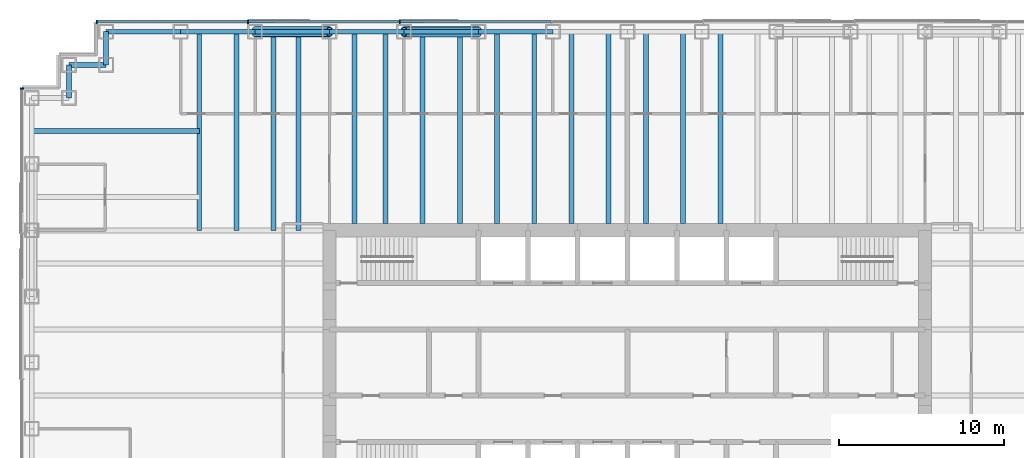
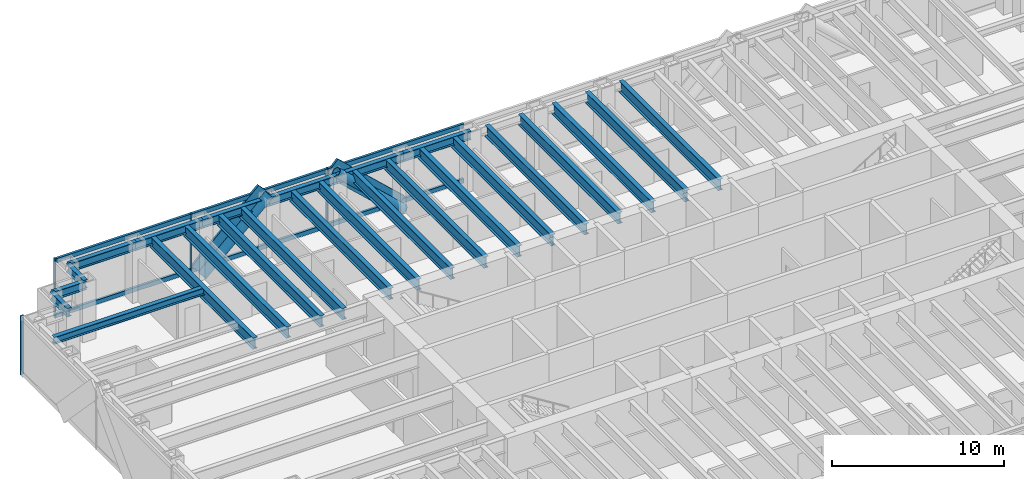
# One storey, part 5 of 17: 25 beams, 14 members, 2 elements without a shape of their own.
"""IFC4 building model written with IfcOpenShell, lengths in metres."""

from ifc_helpers import new_model, si_unit, direction, frame, origin, origin_2d, place, context, subcontext, project, spatial, rectangle, hollow_circle, i_section, extrude, material, material_profile, profile_set, type_object, element, aggregate, save


model = new_model("IFC4")

# Units and contexts
model_context = context("Model", 3, precision=1e-05, world=origin(), true_north=direction((0.0, 1.0)))
body_context = subcontext(model_context, "Body", "Model", "MODEL_VIEW")
ifc_project = project(units=[si_unit("LENGTHUNIT", "METRE"), si_unit("AREAUNIT", "SQUARE_METRE"), si_unit("VOLUMEUNIT", "CUBIC_METRE"), si_unit("PLANEANGLEUNIT", "RADIAN"), si_unit("MASSUNIT", "GRAM", prefix="KILO")], contexts=[model_context])

# Site, building, storey
site_placement = place(None, origin())
site = spatial("IfcSite", under=ifc_project, at=site_placement, CompositionType="ELEMENT")
building_placement = place(site_placement, origin())
building = spatial("IfcBuilding", under=site, at=building_placement, Name="Rheinbord Bourse Tower", CompositionType="ELEMENT")
storey_placement = place(building_placement, frame((0.0, 0.0, 223.60009765625)))
storey = spatial("IfcBuildingStorey", under=building, at=storey_placement, Name="L50", CompositionType="ELEMENT", Elevation=223.60009765625)

# Curtain wall, members
ifc_material_1 = material(Name="Dark glass and black aluminium", Category="aluminium")
curtain_wall_type = type_object("IfcCurtainWallType", Name="CW2 DARK GLASS CURTAIN WALL", PredefinedType="USERDEFINED", material=ifc_material_1)
curtain_wall_1_placement = place(storey_placement, origin())
curtain_wall_1 = element("IfcCurtainWall", 1, at=curtain_wall_1_placement, inside=storey, type_object=curtain_wall_type, Name="Curtain wall CW2 N L50", ObjectType="UNITISED CURTAIN WALL", PredefinedType="USERDEFINED")
ifc_material_2 = material(Name="Black anodised aluminium", Category="aluminium")
ifc_material_profile_1 = material_profile(ifc_material_2, rectangle(XDim=0.159912109375, YDim=1.2099609375, at=origin_2d()), Name="CW2 DIAGONAL MULLION 1210x160")
ifc_profile_set_1 = profile_set([ifc_material_profile_1], Name="Black anodised aluminium")
member_type_1 = type_object("IfcMemberType", Name="CW2 BLACK DIAGONAL MULLION", PredefinedType="USERDEFINED", material=ifc_profile_set_1)
member_1_placement = place(storey_placement, frame((27.0, 44.60009765625, 0.0), z_axis=(-0.73105922506, 0.0, 0.682314010889), x_axis=(0.0, -1.0, 0.0)))
member_1 = element("IfcMember", 2, at=member_1_placement, type_object=member_type_1, Name="CW2 diagonal mullion a", ObjectType="DIAGONAL MULLION", PredefinedType="USERDEFINED", context=body_context, shape_type="SweptSolid", body=[
    extrude(rectangle(XDim=0.159912109375, YDim=1.2099609375, at=origin_2d()), origin(), (0.0, 0.0, 1.0), 6.155517578125),
])
member_2_placement = place(storey_placement, frame((13.5, 44.60009765625, 0.0), z_axis=(0.73105922506, 0.0, 0.682314010889), x_axis=(0.0, 1.0, 0.0)))
member_2 = element("IfcMember", 3, at=member_2_placement, type_object=member_type_1, Name="CW2 diagonal mullion c", ObjectType="DIAGONAL MULLION", PredefinedType="USERDEFINED", context=body_context, shape_type="SweptSolid", body=[
    extrude(rectangle(XDim=0.159912109375, YDim=1.2099609375, at=origin_2d()), origin(), (0.0, 0.0, 1.0), 6.155517578125),
])
ifc_material_3 = material(Name="Black anodised aluminium", Category="aluminium")
ifc_material_profile_2 = material_profile(ifc_material_3, rectangle(XDim=0.219970703125, YDim=0.070068359375, at=origin_2d()), Name="CW2 MULLION 70x220")
ifc_profile_set_2 = profile_set([ifc_material_profile_2], Name="Black anodised aluminium")
member_type_2 = type_object("IfcMemberType", Name="CW2 BLACK MULLION", PredefinedType="MULLION", material=ifc_profile_set_2)
member_3_placement = place(storey_placement, frame((22.242919921875, 44.60009765625, 0.0), z_axis=(0.0, 0.0, 1.0), x_axis=(0.0, -1.0, 0.0)))
member_3 = element("IfcMember", 4, at=member_3_placement, type_object=member_type_2, Name="CW2 mullion 6", PredefinedType="MULLION", context=body_context, shape_type="SweptSolid", body=[
    extrude(rectangle(XDim=0.219970703125, YDim=0.070068359375, at=origin_2d()), origin(), (0.0, 0.0, 1.0), 4.199951171875),
])
member_4_placement = place(storey_placement, frame((13.071533203125, 44.60009765625, 0.0), z_axis=(0.0, 0.0, 1.0), x_axis=(0.0, -1.0, 0.0)))
member_4 = element("IfcMember", 5, at=member_4_placement, type_object=member_type_2, Name="CW2 mullion 7", PredefinedType="MULLION", context=body_context, shape_type="SweptSolid", body=[
    extrude(rectangle(XDim=0.219970703125, YDim=0.070068359375, at=origin_2d()), origin(), (0.0, 0.0, 1.0), 4.199951171875),
])
member_5_placement = place(storey_placement, frame((3.93505859375, 44.60009765625, 0.0), z_axis=(0.0, 0.0, 1.0), x_axis=(0.0, -1.0, 0.0)))
member_5 = element("IfcMember", 6, at=member_5_placement, type_object=member_type_2, Name="CW2 mullion 8", PredefinedType="MULLION", context=body_context, shape_type="SweptSolid", body=[
    extrude(rectangle(XDim=0.219970703125, YDim=0.070068359375, at=origin_2d()), origin(), (0.0, 0.0, 1.0), 4.199951171875),
])

# Curtain wall, member
curtain_wall_2_placement = place(storey_placement, origin())
curtain_wall_2 = element("IfcCurtainWall", 7, at=curtain_wall_2_placement, inside=storey, type_object=curtain_wall_type, Name="Curtain wall CW2 W L50", ObjectType="UNITISED CURTAIN WALL", PredefinedType="USERDEFINED")
member_6_placement = place(storey_placement, frame((-0.60009765625, 40.56494140625, 0.0), z_axis=(0.0, 0.0, 1.0), x_axis=(1.0, 0.0, 0.0)))
member_6 = element("IfcMember", 8, at=member_6_placement, type_object=member_type_2, Name="CW2 mullion 1", PredefinedType="MULLION", context=body_context, shape_type="SweptSolid", body=[
    extrude(rectangle(XDim=0.219970703125, YDim=0.070068359375, at=origin_2d()), origin(), (0.0, 0.0, 1.0), 4.199951171875),
])
aggregate(curtain_wall_2, [member_6])

# Member
ifc_material_4 = material(Name="Black anodised aluminium", Category="aluminium")
ifc_material_profile_3 = material_profile(ifc_material_4, rectangle(XDim=0.159912109375, YDim=0.300048828125, at=origin_2d()), Name="CW2 TRANSOM 300x160")
ifc_profile_set_3 = profile_set([ifc_material_profile_3], Name="Black anodised aluminium")
member_type_3 = type_object("IfcMemberType", Name="CW2 BLACK TRANSOM", PredefinedType="USERDEFINED", material=ifc_profile_set_3)
member_7_placement = place(storey_placement, frame((31.37939453125, 44.60009765625, 0.14990234375), z_axis=(-1.0, 0.0, 0.0), x_axis=(0.0, -1.0, 0.0)))
member_7 = element("IfcMember", 9, at=member_7_placement, type_object=member_type_3, Name="CW2 transom 5.1", ObjectType="TRANSOM", PredefinedType="USERDEFINED", context=body_context, shape_type="SweptSolid", body=[
    extrude(rectangle(XDim=0.159912109375, YDim=0.300048828125, at=origin_2d()), origin(), (0.0, 0.0, 1.0), 9.1015625),
])

member_8_placement = place(storey_placement, frame((31.37939453125, 44.60009765625, 4.0498046875), z_axis=(-1.0, 0.0, 0.0), x_axis=(0.0, -1.0, 0.0)))
member_8 = element("IfcMember", 10, at=member_8_placement, type_object=member_type_3, Name="CW2 transom 5.2", ObjectType="TRANSOM", PredefinedType="USERDEFINED", context=body_context, shape_type="SweptSolid", body=[
    extrude(rectangle(XDim=0.159912109375, YDim=0.300048828125, at=origin_2d()), origin(), (0.0, 0.0, 1.0), 9.1015625),
])

member_9_placement = place(storey_placement, frame((22.207763671875, 44.60009765625, 0.14990234375), z_axis=(-1.0, 0.0, 0.0), x_axis=(0.0, -1.0, 0.0)))
member_9 = element("IfcMember", 11, at=member_9_placement, type_object=member_type_3, Name="CW2 transom 6.1", ObjectType="TRANSOM", PredefinedType="USERDEFINED", context=body_context, shape_type="SweptSolid", body=[
    extrude(rectangle(XDim=0.159912109375, YDim=0.300048828125, at=origin_2d()), origin(), (0.0, 0.0, 1.0), 9.101318359375),
])

member_10_placement = place(storey_placement, frame((22.207763671875, 44.60009765625, 4.0498046875), z_axis=(-1.0, 0.0, 0.0), x_axis=(0.0, -1.0, 0.0)))
member_10 = element("IfcMember", 12, at=member_10_placement, type_object=member_type_3, Name="CW2 transom 6.2", ObjectType="TRANSOM", PredefinedType="USERDEFINED", context=body_context, shape_type="SweptSolid", body=[
    extrude(rectangle(XDim=0.159912109375, YDim=0.300048828125, at=origin_2d()), origin(), (0.0, 0.0, 1.0), 9.101318359375),
])

member_11_placement = place(storey_placement, frame((13.036376953125, 44.60009765625, 0.14990234375), z_axis=(-1.0, 0.0, 0.0), x_axis=(0.0, -1.0, 0.0)))
member_11 = element("IfcMember", 13, at=member_11_placement, type_object=member_type_3, Name="CW2 transom 7.1", ObjectType="TRANSOM", PredefinedType="USERDEFINED", context=body_context, shape_type="SweptSolid", body=[
    extrude(rectangle(XDim=0.159912109375, YDim=0.300048828125, at=origin_2d()), origin(), (0.0, 0.0, 1.0), 9.06640625),
])

member_12_placement = place(storey_placement, frame((13.036376953125, 44.60009765625, 4.0498046875), z_axis=(-1.0, 0.0, 0.0), x_axis=(0.0, -1.0, 0.0)))
member_12 = element("IfcMember", 14, at=member_12_placement, type_object=member_type_3, Name="CW2 transom 7.2", ObjectType="TRANSOM", PredefinedType="USERDEFINED", context=body_context, shape_type="SweptSolid", body=[
    extrude(rectangle(XDim=0.159912109375, YDim=0.300048828125, at=origin_2d()), origin(), (0.0, 0.0, 1.0), 9.06640625),
])

aggregate(curtain_wall_1, [member_3, member_4, member_5, member_7, member_8, member_9, member_10, member_11, member_12, member_1, member_2])

# Beams
ifc_material_5 = material(Name="Steel S460", Category="steel")
ifc_material_profile_4 = material_profile(ifc_material_5, i_section(OverallWidth=0.300048828125, OverallDepth=0.800048828125, WebThickness=0.017578125, FlangeThickness=0.032958984375, at=origin_2d()), Name="HEB 800")
ifc_profile_set_4 = profile_set([ifc_material_profile_4], Name="Steel S460")
beam_type_1 = type_object("IfcBeamType", Name="FLOOR BEAM HEB 800", PredefinedType="BEAM", material=ifc_profile_set_4)
for number, where, z_axis, x_axis, name in (
    (15, (10.125, 44.0, 3.639892578125), (0.0, -1.0, 0.0), (1.0, 0.0, 0.0), "Floor beam N-9a L51"),
    (16, (12.375, 44.0, 3.639892578125), (0.0, -1.0, 0.0), (1.0, 0.0, 0.0), "Floor beam N-9b L51"),
    (17, (14.625, 44.0, 3.639892578125), (0.0, -1.0, 0.0), (1.0, 0.0, 0.0), "Floor beam N-13.5a L51"),
    (18, (16.125, 44.0, 3.639892578125), (0.0, -1.0, 0.0), (1.0, 0.0, 0.0), "Floor beam N-13.5b L51"),
):
    element("IfcBeam", number, at=place(storey_placement, frame(where, z_axis=z_axis, x_axis=x_axis)), inside=storey, type_object=beam_type_1, Name=name, PredefinedType="BEAM", context=body_context, shape_type="SweptSolid", body=[
        extrude(i_section(OverallWidth=0.300048828125, OverallDepth=0.800048828125, WebThickness=0.017578125, FlangeThickness=0.032958984375, at=origin_2d()), origin(), (0.0, 0.0, 1.0), 12.0),
    ])
for number, where, z_axis, x_axis, name in (
    (19, (19.5, 44.0, 3.639892578125), (0.0, -1.0, 0.0), (1.0, 0.0, 0.0), "Floor beam N-18a L51"),
    (20, (21.375, 44.0, 3.639892578125), (0.0, -1.0, 0.0), (1.0, 0.0, 0.0), "Floor beam N-18b L51"),
    (21, (23.625, 44.0, 3.639892578125), (0.0, -1.0, 0.0), (1.0, 0.0, 0.0), "Floor beam N-22.5a L51"),
    (22, (25.875, 44.0, 3.639892578125), (0.0, -1.0, 0.0), (1.0, 0.0, 0.0), "Floor beam N-22.5b L51"),
    (23, (28.125, 44.0, 3.639892578125), (0.0, -1.0, 0.0), (1.0, 0.0, 0.0), "Floor beam N-27a L51"),
    (24, (30.375, 44.0, 3.639892578125), (0.0, -1.0, 0.0), (1.0, 0.0, 0.0), "Floor beam N-27b L51"),
    (25, (32.625, 44.0, 3.639892578125), (0.0, -1.0, 0.0), (1.0, 0.0, 0.0), "Floor beam N-31.5a L51"),
    (26, (34.875, 44.0, 3.639892578125), (0.0, -1.0, 0.0), (1.0, 0.0, 0.0), "Floor beam N-31.5b L51"),
    (27, (37.125, 44.0, 3.639892578125), (0.0, -1.0, 0.0), (1.0, 0.0, 0.0), "Floor beam N-36a L51"),
    (28, (39.375, 44.0, 3.639892578125), (0.0, -1.0, 0.0), (1.0, 0.0, 0.0), "Floor beam N-36b L51"),
    (29, (41.625, 44.0, 3.639892578125), (0.0, -1.0, 0.0), (1.0, 0.0, 0.0), "Floor beam N-40.5a L51"),
):
    element("IfcBeam", number, at=place(storey_placement, frame(where, z_axis=z_axis, x_axis=x_axis)), inside=storey, type_object=beam_type_1, Name=name, PredefinedType="BEAM", context=body_context, shape_type="SweptSolid", body=[
        extrude(i_section(OverallWidth=0.300048828125, OverallDepth=0.800048828125, WebThickness=0.017578125, FlangeThickness=0.032958984375, at=origin_2d()), origin(), (0.0, 0.0, 1.0), 11.60009765625),
    ])

# Members
ifc_material_6 = material(Name="Steel S460", Category="steel")
ifc_material_profile_5 = material_profile(ifc_material_6, hollow_circle(Radius=0.304931640625, WallThickness=0.0400390625, at=origin_2d()), Name="CHS 610x40")
ifc_profile_set_5 = profile_set([ifc_material_profile_5], Name="Steel S460")
member_type_4 = type_object("IfcMemberType", Name="MEGABRACE CHS 610x40", PredefinedType="BRACE", material=ifc_profile_set_5)
for number, where, z_axis, x_axis, name in (
    (30, (27.0, 44.0, 0.0), (-0.73105922506, 0.0, 0.682314010889), (0.0, -1.0, 0.0), "Megabrace N face line a L50"),
    (31, (13.5, 44.0, 0.0), (0.73105922506, 0.0, 0.682314010889), (0.0, 1.0, 0.0), "Megabrace N face line c L50"),
):
    element("IfcMember", number, at=place(storey_placement, frame(where, z_axis=z_axis, x_axis=x_axis)), inside=storey, type_object=member_type_4, Name=name, PredefinedType="BRACE", context=body_context, shape_type="SweptSolid", body=[
        extrude(hollow_circle(Radius=0.304931640625, WallThickness=0.0400390625, at=origin_2d()), origin(), (0.0, 0.0, 1.0), 6.155517578125),
    ])

# Beams
ifc_material_7 = material(Name="Steel S460", Category="steel")
ifc_material_profile_6 = material_profile(ifc_material_7, i_section(OverallWidth=0.300048828125, OverallDepth=0.60009765625, WebThickness=0.015380859375, FlangeThickness=0.030029296875, at=origin_2d()), Name="HEB 600")
ifc_profile_set_6 = profile_set([ifc_material_profile_6], Name="Steel S460")
beam_type_2 = type_object("IfcBeamType", Name="SPANDREL HEB 600", PredefinedType="SPANDREL", material=ifc_profile_set_6)
for number, where, z_axis, x_axis, name in (
    (32, (31.5, 44.0, 3.739990234375), (-1.0, 0.0, 0.0), (0.0, -1.0, 0.0), "Spandrel N-31.5-N-27 under L51"),
    (33, (27.0, 44.0, 3.739990234375), (-1.0, 0.0, 0.0), (0.0, -1.0, 0.0), "Spandrel N-27-N-22.5 under L51"),
    (34, (22.5, 44.0, 3.739990234375), (-1.0, 0.0, 0.0), (0.0, -1.0, 0.0), "Spandrel N-22.5-N-18 under L51"),
    (35, (18.0, 44.0, 3.739990234375), (-1.0, 0.0, 0.0), (0.0, -1.0, 0.0), "Spandrel N-18-N-13.5 under L51"),
    (36, (13.5, 44.0, 3.739990234375), (-1.0, 0.0, 0.0), (0.0, -1.0, 0.0), "Spandrel N-13.5-N-9 under L51"),
    (37, (9.0, 44.0, 3.739990234375), (-1.0, 0.0, 0.0), (0.0, -1.0, 0.0), "Spandrel N-9-NW-E under L51"),
):
    element("IfcBeam", number, at=place(storey_placement, frame(where, z_axis=z_axis, x_axis=x_axis)), inside=storey, type_object=beam_type_2, Name=name, PredefinedType="SPANDREL", context=body_context, shape_type="SweptSolid", body=[
        extrude(i_section(OverallWidth=0.300048828125, OverallDepth=0.60009765625, WebThickness=0.015380859375, FlangeThickness=0.030029296875, at=origin_2d()), origin(), (0.0, 0.0, 1.0), 4.5),
    ])
beam_1_placement = place(storey_placement, frame((4.5, 44.0, 3.739990234375), z_axis=(0.0, -1.0, 0.0), x_axis=(1.0, 0.0, 0.0)))
element("IfcBeam", 38, at=beam_1_placement, inside=storey, type_object=beam_type_2, Name="Spandrel NW-E-NW-D under L51", PredefinedType="SPANDREL", context=body_context, shape_type="SweptSolid", body=[
    extrude(i_section(OverallWidth=0.300048828125, OverallDepth=0.60009765625, WebThickness=0.015380859375, FlangeThickness=0.030029296875, at=origin_2d()), origin(), (0.0, 0.0, 1.0), 2.0),
])
beam_2_placement = place(storey_placement, frame((4.5, 42.0, 3.739990234375), z_axis=(-1.0, 0.0, 0.0), x_axis=(0.0, -1.0, 0.0)))
element("IfcBeam", 39, at=beam_2_placement, inside=storey, type_object=beam_type_2, Name="Spandrel NW-D-NW-C under L51", PredefinedType="SPANDREL", context=body_context, shape_type="SweptSolid", body=[
    extrude(i_section(OverallWidth=0.300048828125, OverallDepth=0.60009765625, WebThickness=0.015380859375, FlangeThickness=0.030029296875, at=origin_2d()), origin(), (0.0, 0.0, 1.0), 2.25),
])
beam_3_placement = place(storey_placement, frame((2.25, 42.0, 3.739990234375), z_axis=(0.0, -1.0, 0.0), x_axis=(1.0, 0.0, 0.0)))
element("IfcBeam", 40, at=beam_3_placement, inside=storey, type_object=beam_type_2, Name="Spandrel NW-C-NW-B under L51", PredefinedType="SPANDREL", context=body_context, shape_type="SweptSolid", body=[
    extrude(i_section(OverallWidth=0.300048828125, OverallDepth=0.60009765625, WebThickness=0.015380859375, FlangeThickness=0.030029296875, at=origin_2d()), origin(), (0.0, 0.0, 1.0), 2.0),
])
ifc_material_8 = material(Name="Steel S460", Category="steel")
ifc_material_profile_7 = material_profile(ifc_material_8, i_section(OverallWidth=0.300048828125, OverallDepth=0.5, WebThickness=0.014404296875, FlangeThickness=0.028076171875, at=origin_2d()), Name="HEB 500")
ifc_profile_set_7 = profile_set([ifc_material_profile_7], Name="Steel S460")
beam_type_3 = type_object("IfcBeamType", Name="TIE BEAM HEB 500", PredefinedType="JOIST", material=ifc_profile_set_7)
beam_4_placement = place(storey_placement, frame((0.0, 38.0, 3.789794921875), z_axis=(1.0, 0.0, 0.0), x_axis=(0.0, 1.0, 0.0)))
element("IfcBeam", 41, at=beam_4_placement, inside=storey, type_object=beam_type_3, Name="Tie west 38 L51", PredefinedType="JOIST", context=body_context, shape_type="SweptSolid", body=[
    extrude(i_section(OverallWidth=0.300048828125, OverallDepth=0.5, WebThickness=0.014404296875, FlangeThickness=0.028076171875, at=origin_2d()), origin(), (0.0, 0.0, 1.0), 10.125),
])

save(model, "model.ifc")
